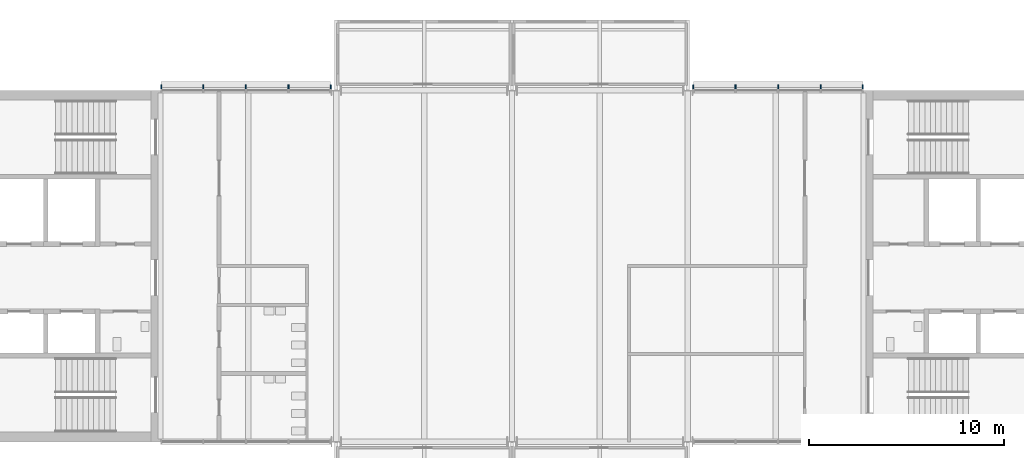
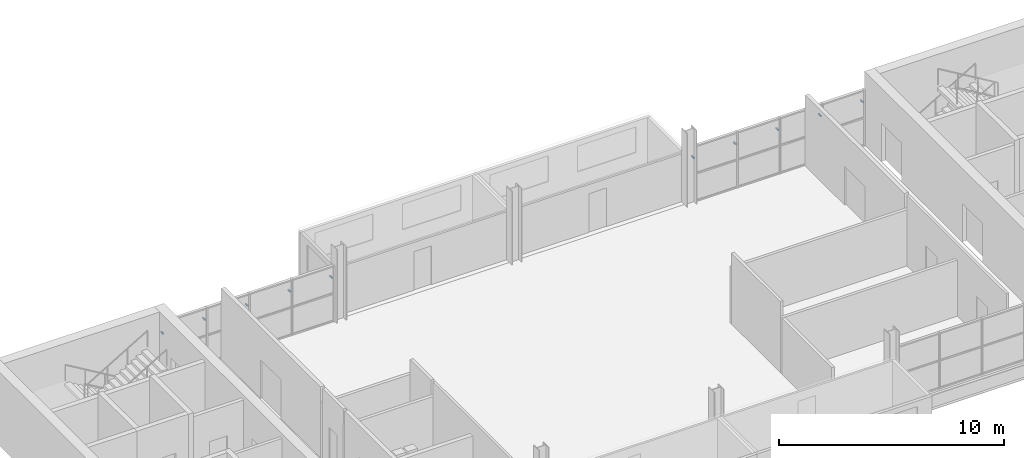
# One storey, part 8 of 10: 10 discrete accessories.
"""IFC4 building model written with IfcOpenShell, lengths in metres."""

from ifc_helpers import new_model, si_unit, direction, frame, origin, origin_2d, place, context, subcontext, project, spatial, rectangle, extrude, material, type_object, element, save


model = new_model("IFC4")

# Units and contexts
model_context = context("Model", 3, precision=1e-05, world=origin(), true_north=direction((0.0, 1.0)))
body_context = subcontext(model_context, "Body", "Model", "MODEL_VIEW")
ifc_project = project(units=[si_unit("LENGTHUNIT", "METRE"), si_unit("AREAUNIT", "SQUARE_METRE"), si_unit("VOLUMEUNIT", "CUBIC_METRE"), si_unit("PLANEANGLEUNIT", "RADIAN"), si_unit("MASSUNIT", "GRAM", prefix="KILO")], contexts=[model_context])

# Site, building, storey
site_placement = place(None, origin())
site = spatial("IfcSite", under=ifc_project, at=site_placement, CompositionType="ELEMENT")
building_placement = place(site_placement, origin())
building = spatial("IfcBuilding", under=site, at=building_placement, Name="Corbel Yard City Hall", CompositionType="ELEMENT")
storey_placement = place(building_placement, frame((0.0, 0.0, 23.199951171875)))
storey = spatial("IfcBuildingStorey", under=building, at=storey_placement, Name="L05", CompositionType="ELEMENT", Elevation=23.199951171875)

# Discrete accessories
ifc_material = material(Name="Steel Grade 300 (300 MPa yield)", Category="steel")
discrete_accessory_type = type_object("IfcDiscreteAccessoryType", Name="BK1", PredefinedType="BRACKET", material=ifc_material)
for number, where, z_axis, x_axis, name in (
    (1, (9.032470703125, 117.18994140625, 2.25), (0.0, 0.0, 1.0), (1.0, 0.0, 0.0), "Louvre bracket"),
    (2, (11.185791015625, 117.18994140625, 2.25), (0.0, 0.0, 1.0), (1.0, 0.0, 0.0), "Louvre bracket"),
    (3, (13.37158203125, 117.18994140625, 2.25), (0.0, 0.0, 1.0), (1.0, 0.0, 0.0), "Louvre bracket"),
    (4, (15.55712890625, 117.18994140625, 2.25), (0.0, 0.0, 1.0), (1.0, 0.0, 0.0), "Louvre bracket"),
    (5, (17.71044921875, 117.18994140625, 2.25), (0.0, 0.0, 1.0), (1.0, 0.0, 0.0), "Louvre bracket"),
    (6, (36.28955078125, 117.18994140625, 2.25), (0.0, 0.0, 1.0), (1.0, 0.0, 0.0), "Louvre bracket"),
    (7, (38.44287109375, 117.18994140625, 2.25), (0.0, 0.0, 1.0), (1.0, 0.0, 0.0), "Louvre bracket"),
    (8, (40.62841796875, 117.18994140625, 2.25), (0.0, 0.0, 1.0), (1.0, 0.0, 0.0), "Louvre bracket"),
    (9, (42.814208984375, 117.18994140625, 2.25), (0.0, 0.0, 1.0), (1.0, 0.0, 0.0), "Louvre bracket"),
    (10, (44.967529296875, 117.18994140625, 2.25), (0.0, 0.0, 1.0), (1.0, 0.0, 0.0), "Louvre bracket"),
):
    element("IfcDiscreteAccessory", number, at=place(storey_placement, frame(where, z_axis=z_axis, x_axis=x_axis)), inside=storey, type_object=discrete_accessory_type, Name=name, PredefinedType="BRACKET", context=body_context, shape_type="SweptSolid", body=[
        extrude(rectangle(XDim=0.06005859375, YDim=0.199951171875, at=origin_2d()), origin(), (0.0, 0.0, 1.0), 0.06005859375),
    ])

save(model, "model.ifc")
